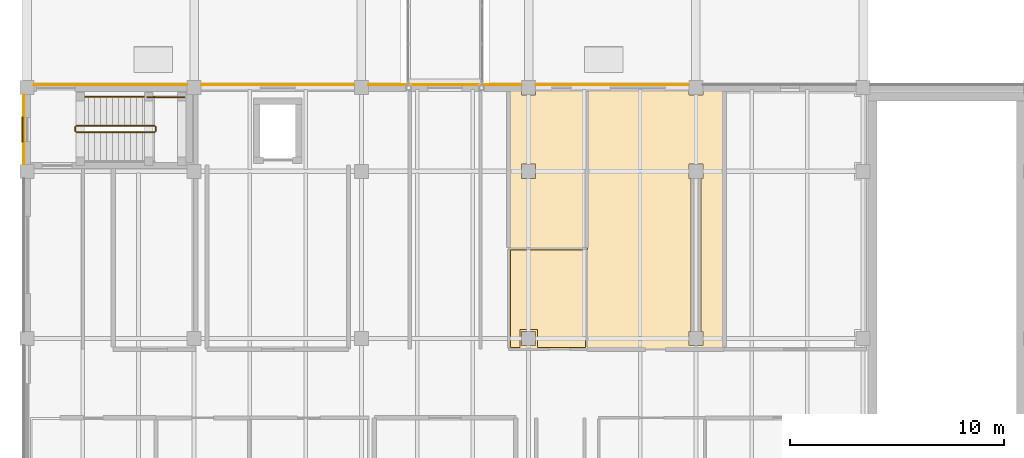
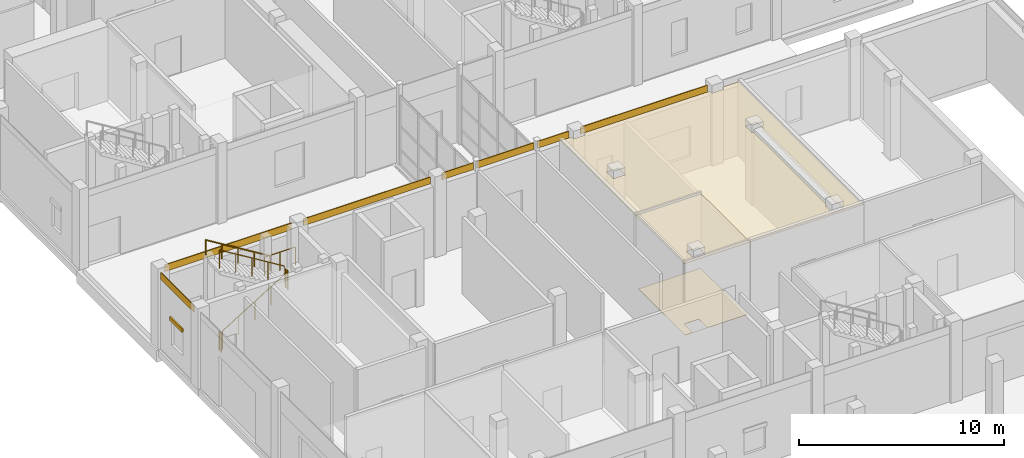
# One storey, part 111 of 131: 10 coverings, 6 railings, 1 shading device.
"""IFC4 building model written with IfcOpenShell, lengths in metres."""

from ifc_helpers import new_model, si_unit, direction, frame, origin, origin_2d, place, context, subcontext, project, spatial, polyline, rectangle, circle, outline, extrude, material, layer, layer_set, type_object, element, save


model = new_model("IFC4")

# Units and contexts
model_context = context("Model", 3, precision=1e-05, world=origin(), true_north=direction((0.0, 1.0)))
body_context = subcontext(model_context, "Body", "Model", "MODEL_VIEW")
ifc_project = project(units=[si_unit("LENGTHUNIT", "METRE"), si_unit("AREAUNIT", "SQUARE_METRE"), si_unit("VOLUMEUNIT", "CUBIC_METRE"), si_unit("PLANEANGLEUNIT", "RADIAN"), si_unit("MASSUNIT", "GRAM", prefix="KILO")], contexts=[model_context])

# Site, building, storey
site_placement = place(None, origin())
site = spatial("IfcSite", under=ifc_project, at=site_placement, CompositionType="ELEMENT")
building_placement = place(site_placement, origin())
building = spatial("IfcBuilding", under=site, at=building_placement, Name="Celorna Specialist Clinic", CompositionType="ELEMENT")
storey_placement = place(building_placement, origin())
storey = spatial("IfcBuildingStorey", under=building, at=storey_placement, Name="L00", CompositionType="ELEMENT", Elevation=0.0)

# Coverings
ifc_material_1 = material(Name="Hygienic acoustic mineral-fibre ceiling")
ifc_layer_1 = layer(ifc_material_1, 0.030029296875, Name="Hygienic acoustic mineral-fibre ceiling")
ifc_layer_set_1 = layer_set([ifc_layer_1], Name="Hygienic acoustic mineral-fibre ceiling")
covering_type_1 = type_object("IfcCoveringType", Name="CE-01", PredefinedType="CEILING", material=ifc_layer_set_1)
covering_1_placement = place(storey_placement, frame((0.0, 0.0, 4.330078125)))
element("IfcCovering", 1, at=covering_1_placement, inside=storey, type_object=covering_type_1, Name="Acoustic ceiling L00-097", PredefinedType="CEILING", context=body_context, shape_type="SweptSolid", body=[
    extrude(outline(polyline([(26.135009765625, 19.81494140625), (26.135009765625, 15.0849609375), (22.455078125, 15.0849609375), (22.455078125, 19.81494140625), (26.135009765625, 19.81494140625)]), holes=[polyline([(23.72998046875, 15.27001953125), (23.72998046875, 15.929931640625), (23.070068359375, 15.929931640625), (23.070068359375, 15.27001953125), (23.72998046875, 15.27001953125)])]), origin(), (0.0, 0.0, 1.0), 0.030029296875),
])
covering_2_placement = place(storey_placement, frame((0.0, 0.0, 4.330078125)))
element("IfcCovering", 2, at=covering_2_placement, inside=storey, type_object=covering_type_1, Name="Acoustic ceiling L00-098", PredefinedType="CEILING", context=body_context, shape_type="SweptSolid", body=[
    extrude(outline(polyline([(26.10498046875, 19.784912109375), (22.455078125, 19.784912109375), (22.455078125, 27.14501953125), (23.070068359375, 27.14501953125), (23.070068359375, 26.969970703125), (23.72998046875, 26.969970703125), (23.72998046875, 27.14501953125), (30.8701171875, 27.14501953125), (30.8701171875, 26.969970703125), (31.530029296875, 26.969970703125), (31.530029296875, 27.14501953125), (32.534912109375, 27.14501953125), (32.534912109375, 15.0849609375), (26.10498046875, 15.0849609375), (26.10498046875, 19.784912109375)]), holes=[polyline([(31.43505859375, 23.070068359375), (31.530029296875, 23.070068359375), (31.530029296875, 23.72998046875), (30.8701171875, 23.72998046875), (30.8701171875, 23.070068359375), (30.965087890625, 23.070068359375), (30.965087890625, 15.929931640625), (30.8701171875, 15.929931640625), (30.8701171875, 15.27001953125), (31.530029296875, 15.27001953125), (31.530029296875, 15.929931640625), (31.43505859375, 15.929931640625), (31.43505859375, 23.070068359375)]), polyline([(23.72998046875, 23.070068359375), (23.72998046875, 23.72998046875), (23.070068359375, 23.72998046875), (23.070068359375, 23.070068359375), (23.72998046875, 23.070068359375)])]), origin(), (0.0, 0.0, 1.0), 0.030029296875),
])
ifc_material_2 = material(Name="Pero Pinheiro Lioz limestone rainscreen cladding", Category="masonry")
ifc_layer_2 = layer(ifc_material_2, 0.044921875, Name="Pero Pinheiro Lioz limestone rainscreen cladding")
ifc_layer_set_2 = layer_set([ifc_layer_2], Name="Pero Pinheiro Lioz limestone rainscreen cladding")
covering_type_2 = type_object("IfcCoveringType", Name="CL-01", PredefinedType="CLADDING", material=ifc_layer_set_2)
for number, where, z_axis, x_axis, name in (
    (3, (3.89990234375, 27.447509765625, 4.14013671875), (0.0, 0.0, 1.0), (1.0, 0.0, 0.0), "Lioz spandrel cladding #304"),
    (4, (11.699951171875, 27.447509765625, 4.14013671875), (0.0, 0.0, 1.0), (1.0, 0.0, 0.0), "Lioz spandrel cladding #305"),
):
    element("IfcCovering", number, at=place(storey_placement, frame(where, z_axis=z_axis, x_axis=x_axis)), inside=storey, type_object=covering_type_2, Name=name, PredefinedType="CLADDING", context=body_context, shape_type="SweptSolid", body=[
        extrude(rectangle(XDim=7.14990234375, YDim=0.044921875, at=origin_2d()), origin(), (0.0, 0.0, 1.0), 0.39990234375),
    ])
covering_3_placement = place(storey_placement, frame((16.8125, 27.447509765625, 4.14013671875), z_axis=(0.0, 0.0, 1.0), x_axis=(1.0, 0.0, 0.0)))
element("IfcCovering", 5, at=covering_3_placement, inside=storey, type_object=covering_type_2, Name="Lioz spandrel cladding #306", PredefinedType="CLADDING", context=body_context, shape_type="SweptSolid", body=[
    extrude(rectangle(XDim=1.77490234375, YDim=0.044921875, at=origin_2d()), origin(), (0.0, 0.0, 1.0), 0.39990234375),
])
covering_4_placement = place(storey_placement, frame((19.5, 27.447509765625, 4.14013671875), z_axis=(0.0, 0.0, 1.0), x_axis=(1.0, 0.0, 0.0)))
element("IfcCovering", 6, at=covering_4_placement, inside=storey, type_object=covering_type_2, Name="Lioz spandrel cladding #307", PredefinedType="CLADDING", context=body_context, shape_type="SweptSolid", body=[
    extrude(rectangle(XDim=3.199951171875, YDim=0.044921875, at=origin_2d()), origin(), (0.0, 0.0, 1.0), 0.39990234375),
])
covering_5_placement = place(storey_placement, frame((22.1875, 27.447509765625, 4.14013671875), z_axis=(0.0, 0.0, 1.0), x_axis=(1.0, 0.0, 0.0)))
element("IfcCovering", 7, at=covering_5_placement, inside=storey, type_object=covering_type_2, Name="Lioz spandrel cladding #308", PredefinedType="CLADDING", context=body_context, shape_type="SweptSolid", body=[
    extrude(rectangle(XDim=1.77490234375, YDim=0.044921875, at=origin_2d()), origin(), (0.0, 0.0, 1.0), 0.39990234375),
])
covering_6_placement = place(storey_placement, frame((27.300048828125, 27.447509765625, 4.14013671875), z_axis=(0.0, 0.0, 1.0), x_axis=(1.0, 0.0, 0.0)))
element("IfcCovering", 8, at=covering_6_placement, inside=storey, type_object=covering_type_2, Name="Lioz spandrel cladding #309", PredefinedType="CLADDING", context=body_context, shape_type="SweptSolid", body=[
    extrude(rectangle(XDim=7.14990234375, YDim=0.044921875, at=origin_2d()), origin(), (0.0, 0.0, 1.0), 0.39990234375),
])
covering_7_placement = place(storey_placement, frame((-0.1474609375, 25.35009765625, 4.14013671875), z_axis=(0.0, 0.0, 1.0), x_axis=(0.0, 1.0, 0.0)))
element("IfcCovering", 9, at=covering_7_placement, inside=storey, type_object=covering_type_2, Name="Lioz spandrel cladding #315", PredefinedType="CLADDING", context=body_context, shape_type="SweptSolid", body=[
    extrude(rectangle(XDim=3.25, YDim=0.044921875, at=origin_2d()), origin(), (0.0, 0.0, 1.0), 0.39990234375),
])
ifc_material_3 = material(Name="Seamless antimicrobial clinical vinyl and Lioz terrazzo flooring")
ifc_layer_3 = layer(ifc_material_3, 0.02001953125, Name="Seamless antimicrobial clinical vinyl and Lioz terrazzo flooring")
ifc_layer_set_3 = layer_set([ifc_layer_3], Name="Seamless antimicrobial clinical vinyl and Lioz terrazzo flooring")
covering_type_3 = type_object("IfcCoveringType", Name="FL-01", PredefinedType="FLOORING", material=ifc_layer_set_3)
covering_8_placement = place(storey_placement, origin())
element("IfcCovering", 10, at=covering_8_placement, inside=storey, type_object=covering_type_3, Name="Antimicrobial clinical flooring L00-097", PredefinedType="FLOORING", context=body_context, shape_type="SweptSolid", body=[
    extrude(outline(polyline([(22.544921875, 19.72509765625), (26.044921875, 19.72509765625), (26.044921875, 15.175048828125), (22.544921875, 15.175048828125), (22.544921875, 19.72509765625)]), holes=[polyline([(23.81005859375, 15.18994140625), (23.81005859375, 16.010009765625), (22.989990234375, 16.010009765625), (22.989990234375, 15.18994140625), (23.81005859375, 15.18994140625)])]), origin(), (0.0, 0.0, 1.0), 0.02001953125),
])

# Railings
ifc_material_4 = material(Name="Powder-coated steel S355", Category="steel")
railing_type_1 = type_object("IfcRailingType", Name="GR-01", PredefinedType="GUARDRAIL", material=ifc_material_4)
railing_1_placement = place(storey_placement, frame((2.31005859375, 25.219970703125, 0.17138671875)))
element("IfcRailing", 11, at=railing_1_placement, inside=storey, type_object=railing_type_1, Name="L00 ST-04 stair guard 1", PredefinedType="GUARDRAIL", context=body_context, shape_type="SweptSolid", body=[
    extrude(circle(Radius=0.02392578125, at=origin_2d()), frame((0.0, 0.0, 1.09619140625), z_axis=(0.852850264322, 0.0, 0.5221555579), x_axis=(0.0, 1.0, 0.0)), (0.0, 0.0, 1.0), 4.267822265625),
    extrude(circle(Radius=0.02099609375, at=origin_2d()), origin(), (0.0, 0.0, 1.0), 1.072021484375),
    extrude(circle(Radius=0.02099609375, at=origin_2d()), frame((0.909912109375, 0.0, 0.55712890625)), (0.0, 0.0, 1.0), 1.072021484375),
    extrude(circle(Radius=0.02099609375, at=origin_2d()), frame((1.81982421875, 0.0, 1.1142578125)), (0.0, 0.0, 1.0), 1.072021484375),
    extrude(circle(Radius=0.02099609375, at=origin_2d()), frame((2.72998046875, 0.0, 1.67138671875)), (0.0, 0.0, 1.0), 1.072021484375),
    extrude(circle(Radius=0.02099609375, at=origin_2d()), frame((3.639892578125, 0.0, 2.228515625)), (0.0, 0.0, 1.0), 1.072021484375),
])
railing_2_placement = place(storey_placement, frame((6.0, 25.27001953125, 2.39990234375)))
element("IfcRailing", 12, at=railing_2_placement, inside=storey, type_object=railing_type_1, Name="L00 ST-04 stair guard 2", PredefinedType="GUARDRAIL", context=body_context, shape_type="SweptSolid", body=[
    extrude(circle(Radius=0.02392578125, at=origin_2d()), frame((0.0, 0.0, 1.09619140625), z_axis=(0.0, 1.0, 0.0), x_axis=(-1.0, 0.0, 0.0)), (0.0, 0.0, 1.0), 0.199951171875),
    extrude(circle(Radius=0.02099609375, at=origin_2d()), origin(), (0.0, 0.0, 1.0), 1.072021484375),
    extrude(circle(Radius=0.02099609375, at=origin_2d()), frame((0.0, 0.199951171875, 0.0)), (0.0, 0.0, 1.0), 1.072021484375),
])
railing_3_placement = place(storey_placement, frame((5.949951171875, 25.52001953125, 2.571533203125)))
element("IfcRailing", 13, at=railing_3_placement, inside=storey, type_object=railing_type_1, Name="L00 ST-04 stair guard 3", PredefinedType="GUARDRAIL", context=body_context, shape_type="SweptSolid", body=[
    extrude(circle(Radius=0.02392578125, at=origin_2d()), frame((0.0, 0.0, 1.09619140625), z_axis=(-0.852850264322, 0.0, 0.5221555579), x_axis=(0.0, -1.0, 0.0)), (0.0, 0.0, 1.0), 4.267822265625),
    extrude(circle(Radius=0.02099609375, at=origin_2d()), origin(), (0.0, 0.0, 1.0), 1.072021484375),
    extrude(circle(Radius=0.02099609375, at=origin_2d()), frame((-0.909912109375, 0.0, 0.55712890625)), (0.0, 0.0, 1.0), 1.072021484375),
    extrude(circle(Radius=0.02099609375, at=origin_2d()), frame((-1.81982421875, 0.0, 1.1142578125)), (0.0, 0.0, 1.0), 1.072021484375),
    extrude(circle(Radius=0.02099609375, at=origin_2d()), frame((-2.72998046875, 0.0, 1.67138671875)), (0.0, 0.0, 1.0), 1.072021484375),
    extrude(circle(Radius=0.02099609375, at=origin_2d()), frame((-3.639892578125, 0.0, 2.228515625)), (0.0, 0.0, 1.0), 1.072021484375),
])
railing_4_placement = place(storey_placement, frame((2.260009765625, 25.27001953125, 0.0)))
element("IfcRailing", 14, at=railing_4_placement, inside=storey, type_object=railing_type_1, Name="L00 ST-04 stair guard 4", PredefinedType="GUARDRAIL", context=body_context, shape_type="SweptSolid", body=[
    extrude(circle(Radius=0.02392578125, at=origin_2d()), frame((0.0, 0.0, 1.09619140625), z_axis=(0.0, 1.0, 0.0), x_axis=(-1.0, 0.0, 0.0)), (0.0, 0.0, 1.0), 0.199951171875),
    extrude(circle(Radius=0.02099609375, at=origin_2d()), origin(), (0.0, 0.0, 1.0), 1.072021484375),
    extrude(circle(Radius=0.02099609375, at=origin_2d()), frame((0.0, 0.199951171875, 0.0)), (0.0, 0.0, 1.0), 1.072021484375),
])
railing_5_placement = place(storey_placement, frame((5.610107421875, 26.860107421875, 2.39990234375)))
element("IfcRailing", 15, at=railing_5_placement, inside=storey, type_object=railing_type_1, Name="Stair ST-04 half-landing guard L00", PredefinedType="GUARDRAIL", context=body_context, shape_type="SweptSolid", body=[
    extrude(circle(Radius=0.02392578125, at=origin_2d()), frame((0.0, 0.0, 1.09619140625), z_axis=(1.0, 0.0, 0.0), x_axis=(0.0, 1.0, 0.0)), (0.0, 0.0, 1.0), 1.739990234375),
    extrude(circle(Radius=0.02099609375, at=origin_2d()), origin(), (0.0, 0.0, 1.0), 1.072021484375),
    extrude(circle(Radius=0.02099609375, at=origin_2d()), frame((0.8701171875, 0.0, 0.0)), (0.0, 0.0, 1.0), 1.072021484375),
    extrude(circle(Radius=0.02099609375, at=origin_2d()), frame((1.739990234375, 0.0, 0.0)), (0.0, 0.0, 1.0), 1.072021484375),
])
ifc_material_5 = material(Name="Brushed stainless steel handrail", Category="steel")
railing_type_2 = type_object("IfcRailingType", Name="HR-01", PredefinedType="HANDRAIL", material=ifc_material_5)
railing_6_placement = place(storey_placement, frame((5.949951171875, 26.8701171875, 2.571533203125)))
element("IfcRailing", 16, at=railing_6_placement, inside=storey, type_object=railing_type_2, Name="L00 ST-04 stair handrail 2", PredefinedType="HANDRAIL", context=body_context, shape_type="SweptSolid", body=[
    extrude(circle(Radius=0.02392578125, at=origin_2d()), frame((0.0, 0.0, 0.8759765625), z_axis=(-0.852850264322, 0.0, 0.5221555579), x_axis=(0.0, -1.0, 0.0)), (0.0, 0.0, 1.0), 4.267822265625),
    extrude(circle(Radius=0.02099609375, at=origin_2d()), origin(), (0.0, 0.0, 1.0), 0.851806640625),
    extrude(circle(Radius=0.02099609375, at=origin_2d()), frame((-0.909912109375, 0.0, 0.55712890625)), (0.0, 0.0, 1.0), 0.851806640625),
    extrude(circle(Radius=0.02099609375, at=origin_2d()), frame((-1.81982421875, 0.0, 1.1142578125)), (0.0, 0.0, 1.0), 0.851806640625),
    extrude(circle(Radius=0.02099609375, at=origin_2d()), frame((-2.72998046875, 0.0, 1.67138671875)), (0.0, 0.0, 1.0), 0.851806640625),
    extrude(circle(Radius=0.02099609375, at=origin_2d()), frame((-3.639892578125, 0.0, 2.228515625)), (0.0, 0.0, 1.0), 0.851806640625),
])

# Shading device
ifc_material_6 = material(Name="Anodized aluminium solar louvre", Category="aluminium")
ifc_layer_4 = layer(ifc_material_6, 0.080078125, Name="Anodized aluminium solar louvre")
ifc_layer_set_4 = layer_set([ifc_layer_4], Name="Anodized aluminium solar louvre")
shading_device_type = type_object("IfcShadingDeviceType", Name="LV-01", PredefinedType="JALOUSIE", material=ifc_layer_set_4)
shading_device_placement = place(storey_placement, frame((-0.2099609375, 25.35009765625, 2.33984375), z_axis=(0.0, 0.0, 1.0), x_axis=(0.0, 1.0, 0.0)))
element("IfcShadingDevice", 17, at=shading_device_placement, inside=storey, type_object=shading_device_type, Name="External solar louvre LV-01 #186", PredefinedType="JALOUSIE", context=body_context, shape_type="SweptSolid", body=[
    extrude(rectangle(XDim=1.199951171875, YDim=0.080078125, at=origin_2d()), origin(), (0.0, 0.0, 1.0), 0.219970703125),
])

save(model, "model.ifc")
